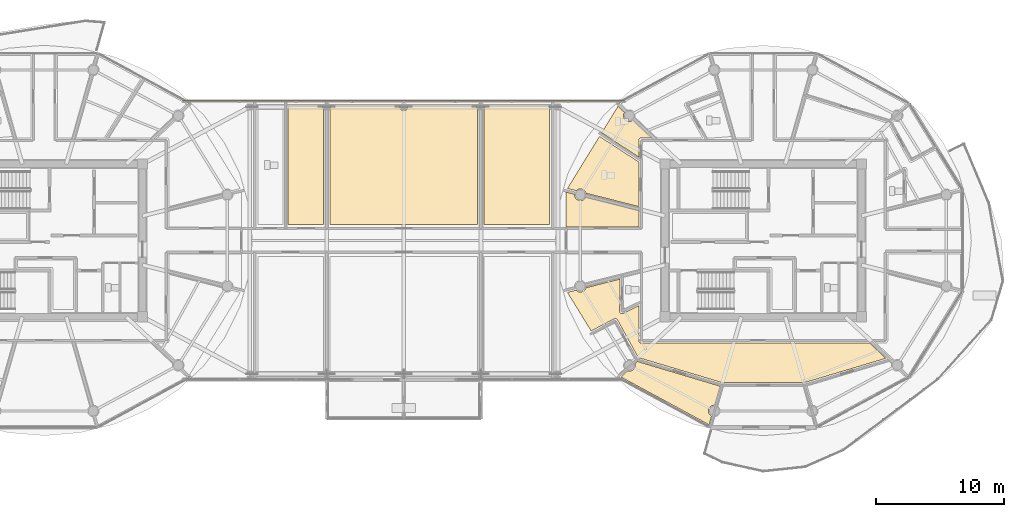
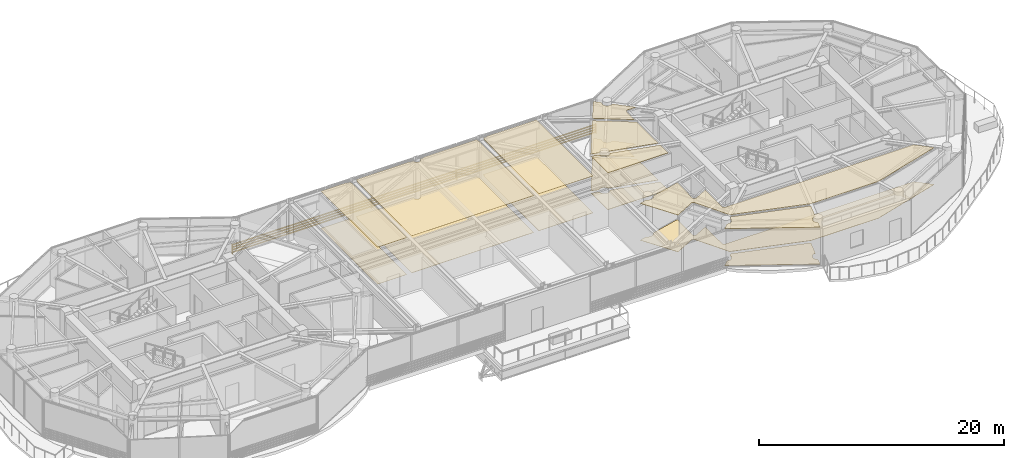
# One storey, part 26 of 31: 16 coverings, 3 shading devices.
"""IFC4 building model written with IfcOpenShell, lengths in metres."""

from ifc_helpers import new_model, si_unit, direction, frame, origin, origin_2d, place, context, subcontext, project, spatial, polyline, rectangle, outline, extrude, source, transform, mapped, material, layer, layer_set, type_object, type_shapes, element, save


model = new_model("IFC4")

# Units and contexts
model_context = context("Model", 3, precision=1e-05, world=origin(), true_north=direction((0.0, 1.0)))
body_context = subcontext(model_context, "Body", "Model", "MODEL_VIEW")
ifc_project = project(units=[si_unit("LENGTHUNIT", "METRE"), si_unit("AREAUNIT", "SQUARE_METRE"), si_unit("VOLUMEUNIT", "CUBIC_METRE"), si_unit("PLANEANGLEUNIT", "RADIAN"), si_unit("MASSUNIT", "GRAM", prefix="KILO")], contexts=[model_context])

# Site, building, storey
site_placement = place(None, origin())
site = spatial("IfcSite", under=ifc_project, at=site_placement, CompositionType="ELEMENT")
building_placement = place(site_placement, origin())
building = spatial("IfcBuilding", under=site, at=building_placement, Name="Norrkilde Senior Care Towers", CompositionType="ELEMENT")
storey_placement = place(building_placement, frame((0.0, 0.0, 199.800048828125)))
storey = spatial("IfcBuildingStorey", under=building, at=storey_placement, Name="L62", CompositionType="ELEMENT", Elevation=199.800048828125)

# Coverings
ifc_material_1 = material(Name="Nordic Ash Timber", Category="wood")
ifc_layer_1 = layer(ifc_material_1, 0.044921875)
ifc_layer_set_1 = layer_set([ifc_layer_1], Name="Nordic Ash Timber")
covering_type_1 = type_object("IfcCoveringType", Name="Acoustic Ash Timber Slatted Ceiling 45", PredefinedType="CEILING", material=ifc_layer_set_1)
covering_1_placement = place(storey_placement, frame((0.0, 0.0, 3.6650390625)))
element("IfcCovering", 1, at=covering_1_placement, inside=storey, type_object=covering_type_1, Name="L62 Suspended Ceiling 0396", PredefinedType="CEILING", context=body_context, shape_type="SweptSolid", body=[
    extrude(outline(polyline([(18.300048828125, 1.0400390625), (12.62646484375, 1.0400390625), (12.62646484375, 3.76708984375), (13.302490234375, 3.59619140625), (13.297607421875, 3.558837890625), (13.31298828125, 3.44091796875), (13.358642578125, 3.331298828125), (13.430908203125, 3.237060546875), (13.525146484375, 3.164794921875), (13.634765625, 3.119384765625), (13.752685546875, 3.103759765625), (13.870361328125, 3.119384765625), (13.97998046875, 3.164794921875), (14.07421875, 3.237060546875), (14.146728515625, 3.331298828125), (14.165771484375, 3.377685546875), (18.300048828125, 2.331298828125), (18.300048828125, 1.0400390625)])), origin(), (0.0, 0.0, 1.0), 0.044921875),
])
covering_2_placement = place(storey_placement, frame((0.0, 0.0, 3.6650390625)))
element("IfcCovering", 2, at=covering_2_placement, inside=storey, type_object=covering_type_1, Name="L62 Suspended Ceiling 0408", PredefinedType="CEILING", context=body_context, shape_type="SweptSolid", body=[
    extrude(outline(polyline([(16.817626953125, -5.54150390625), (16.819580078125, -5.552978515625), (16.8212890625, -5.5595703125), (16.824462890625, -5.57080078125), (16.82666015625, -5.577392578125), (16.8310546875, -5.588134765625), (16.833740234375, -5.594482421875), (16.839111328125, -5.604736328125), (16.842529296875, -5.610595703125), (16.848876953125, -5.62060546875), (16.85302734375, -5.6259765625), (16.860107421875, -5.63525390625), (16.86474609375, -5.640380859375), (16.872802734375, -5.648681640625), (16.877685546875, -5.653564453125), (16.88671875, -5.6611328125), (16.89208984375, -5.665283203125), (16.901611328125, -5.671875), (16.907470703125, -5.675537109375), (16.917724609375, -5.68115234375), (16.923828125, -5.684326171875), (16.9345703125, -5.68896484375), (16.94091796875, -5.69140625), (16.951904296875, -5.695068359375), (16.95849609375, -5.69677734375), (16.969970703125, -5.69921875), (16.976806640625, -5.700439453125), (16.98828125, -5.701904296875), (16.9951171875, -5.702392578125), (17.0068359375, -5.70263671875), (17.013671875, -5.702392578125), (17.025390625, -5.70166015625), (17.031982421875, -5.70068359375), (17.043701171875, -5.69873046875), (17.05029296875, -5.697265625), (17.0615234375, -5.694091796875), (17.068115234375, -5.69189453125), (17.078857421875, -5.687744140625), (17.085205078125, -5.68505859375), (17.090576171875, -5.6826171875), (18.300048828125, -5.076171875), (18.300048828125, -7.800048828125), (18.300048828125, -7.805908203125), (18.300537109375, -7.813720703125), (18.3017578125, -7.825439453125), (18.302734375, -7.833251953125), (18.30517578125, -7.8447265625), (18.30712890625, -7.852294921875), (18.310546875, -7.86376953125), (18.31298828125, -7.87109375), (18.317626953125, -7.8818359375), (18.321044921875, -7.888916015625), (18.326416015625, -7.8994140625), (18.33056640625, -7.90625), (18.337158203125, -7.916015625), (18.341796875, -7.92236328125), (18.34912109375, -7.931396484375), (18.3544921875, -7.937255859375), (18.36279296875, -7.945556640625), (18.36865234375, -7.95068359375), (18.377685546875, -7.958251953125), (18.384033203125, -7.962890625), (18.393798828125, -7.969482421875), (18.400634765625, -7.973388671875), (18.410888671875, -7.97900390625), (18.41796875, -7.982421875), (18.428955078125, -7.98681640625), (18.436279296875, -7.989501953125), (18.447509765625, -7.992919921875), (18.455322265625, -7.994873046875), (18.466796875, -7.9970703125), (18.474609375, -7.998291015625), (18.486328125, -7.99951171875), (18.494140625, -7.999755859375), (18.5, -8.0), (36.294677734375, -8.0), (37.5439453125, -9.179931640625), (31.18408203125, -11.0791015625), (24.81591796875, -11.0791015625), (18.265380859375, -9.122802734375), (16.640869140625, -6.182861328125), (16.637939453125, -6.177978515625), (16.63427734375, -6.172119140625), (16.627685546875, -6.16259765625), (16.623779296875, -6.1572265625), (16.6162109375, -6.1484375), (16.611572265625, -6.143310546875), (16.603271484375, -6.13525390625), (16.598388671875, -6.130615234375), (16.58935546875, -6.12353515625), (16.583740234375, -6.119384765625), (16.573974609375, -6.113037109375), (16.568115234375, -6.109619140625), (16.557861328125, -6.104248046875), (16.5517578125, -6.101318359375), (16.541015625, -6.096923828125), (16.53466796875, -6.0947265625), (16.523681640625, -6.09130859375), (16.51708984375, -6.089599609375), (16.505615234375, -6.08740234375), (16.4990234375, -6.08642578125), (16.4873046875, -6.08544921875), (16.48046875, -6.0849609375), (16.468994140625, -6.0849609375), (16.462158203125, -6.085205078125), (16.45068359375, -6.08642578125), (16.44384765625, -6.08740234375), (16.4326171875, -6.089599609375), (16.426025390625, -6.09130859375), (16.414794921875, -6.094482421875), (16.408447265625, -6.0966796875), (16.397705078125, -6.10107421875), (16.3916015625, -6.10400390625), (16.386474609375, -6.1064453125), (14.59033203125, -7.0478515625), (12.74267578125, -4.04736328125), (13.426025390625, -3.874267578125), (13.430908203125, -3.880615234375), (13.525146484375, -3.952880859375), (13.634765625, -3.998291015625), (13.752685546875, -4.013671875), (13.870361328125, -3.998291015625), (13.97998046875, -3.952880859375), (14.07421875, -3.880615234375), (14.146728515625, -3.786376953125), (14.190185546875, -3.680908203125), (16.84521484375, -3.0087890625), (16.8154296875, -5.510498046875), (16.8154296875, -5.516357421875), (16.815673828125, -5.523193359375), (16.816650390625, -5.53466796875), (16.817626953125, -5.54150390625)])), origin(), (0.0, 0.0, 1.0), 0.044921875),
])
covering_3_placement = place(storey_placement, frame((0.0, 0.0, 3.6650390625)))
element("IfcCovering", 3, at=covering_3_placement, inside=storey, type_object=covering_type_1, Name="L62 Suspended Ceiling 0410", PredefinedType="CEILING", context=body_context, shape_type="SweptSolid", body=[
    extrude(outline(polyline([(17.452392578125, -10.162109375), (17.570068359375, -10.177734375), (17.68798828125, -10.162109375), (17.797607421875, -10.11669921875), (17.891845703125, -10.04443359375), (17.964111328125, -9.9501953125), (18.009765625, -9.840576171875), (18.025146484375, -9.72265625), (18.009765625, -9.60498046875), (18.0087890625, -9.6025390625), (18.196044921875, -9.42578125), (24.648681640625, -11.3525390625), (24.218505859375, -12.831298828125), (24.182373046875, -12.826416015625), (24.064697265625, -12.842041015625), (23.954833984375, -12.887451171875), (23.860595703125, -12.959716796875), (23.788330078125, -13.053955078125), (23.742919921875, -13.163818359375), (23.7275390625, -13.281494140625), (23.742919921875, -13.399169921875), (23.788330078125, -13.509033203125), (23.860595703125, -13.603271484375), (23.954833984375, -13.675537109375), (23.970947265625, -13.68212890625), (23.776123046875, -14.351806640625), (16.91357421875, -10.636962890625), (17.42724609375, -10.15185546875), (17.452392578125, -10.162109375)])), origin(), (0.0, 0.0, 1.0), 0.044921875),
])
ifc_material_2 = material(Name="Gypsum Acoustic Board")
ifc_layer_2 = layer(ifc_material_2, 0.030029296875)
ifc_layer_set_2 = layer_set([ifc_layer_2], Name="Gypsum Acoustic Board")
covering_type_2 = type_object("IfcCoveringType", Name="Medical Cleanable Gypsum Ceiling 30", PredefinedType="CEILING", material=ifc_layer_set_2)
covering_4_placement = place(storey_placement, frame((0.0, 0.0, 3.679931640625)))
element("IfcCovering", 4, at=covering_4_placement, inside=storey, type_object=covering_type_2, Name="L62 Suspended Ceiling 0406", PredefinedType="CEILING", context=body_context, shape_type="SweptSolid", body=[
    extrude(outline(polyline([(18.474609375, 7.998291015625), (18.466796875, 7.9970703125), (18.455322265625, 7.994873046875), (18.447509765625, 7.992919921875), (18.436279296875, 7.989501953125), (18.428955078125, 7.98681640625), (18.41796875, 7.982421875), (18.410888671875, 7.97900390625), (18.400634765625, 7.973388671875), (18.393798828125, 7.969482421875), (18.384033203125, 7.962890625), (18.377685546875, 7.958251953125), (18.36865234375, 7.95068359375), (18.36279296875, 7.945556640625), (18.3544921875, 7.937255859375), (18.34912109375, 7.931396484375), (18.341796875, 7.92236328125), (18.337158203125, 7.916015625), (18.33056640625, 7.90625), (18.326416015625, 7.8994140625), (18.321044921875, 7.888916015625), (18.317626953125, 7.8818359375), (18.31298828125, 7.87109375), (18.310546875, 7.86376953125), (18.30712890625, 7.852294921875), (18.30517578125, 7.8447265625), (18.302734375, 7.833251953125), (18.3017578125, 7.825439453125), (18.300537109375, 7.813720703125), (18.300048828125, 7.805908203125), (18.300048828125, 7.800048828125), (18.300048828125, 6.499755859375), (15.4111328125, 8.380859375), (16.68408203125, 10.448486328125), (17.192626953125, 9.9716796875), (17.176025390625, 9.9501953125), (17.130615234375, 9.840576171875), (17.115234375, 9.72265625), (17.130615234375, 9.60498046875), (17.176025390625, 9.4951171875), (17.24853515625, 9.40087890625), (17.3427734375, 9.32861328125), (17.452392578125, 9.283203125), (17.570068359375, 9.267822265625), (17.68798828125, 9.283203125), (17.797607421875, 9.32861328125), (17.841796875, 9.362548828125), (19.294677734375, 8.0), (18.5, 8.0), (18.494140625, 7.999755859375), (18.486328125, 7.99951171875), (18.474609375, 7.998291015625)])), origin(), (0.0, 0.0, 1.0), 0.030029296875),
])
covering_5_placement = place(storey_placement, frame((0.0, 0.0, 3.679931640625)))
element("IfcCovering", 5, at=covering_5_placement, inside=storey, type_object=covering_type_2, Name="L62 Suspended Ceiling 0407", PredefinedType="CEILING", context=body_context, shape_type="SweptSolid", body=[
    extrude(outline(polyline([(15.2431640625, 8.108154296875), (18.300048828125, 6.117919921875), (18.300048828125, 2.640625), (14.190185546875, 3.680908203125), (14.146728515625, 3.786376953125), (14.07421875, 3.880615234375), (13.97998046875, 3.952880859375), (13.870361328125, 3.998291015625), (13.752685546875, 4.013671875), (13.634765625, 3.998291015625), (13.525146484375, 3.952880859375), (13.430908203125, 3.880615234375), (13.426025390625, 3.874267578125), (12.74267578125, 4.04736328125), (15.2431640625, 8.108154296875)])), origin(), (0.0, 0.0, 1.0), 0.030029296875),
])
covering_6_placement = place(storey_placement, frame((0.0, 0.0, 3.679931640625)))
element("IfcCovering", 6, at=covering_6_placement, inside=storey, type_object=covering_type_2, Name="L62 Suspended Ceiling 0416", PredefinedType="CEILING", context=body_context, shape_type="SweptSolid", body=[
    extrude(outline(polyline([(-9.0, 10.47998046875), (-6.2861328125, 10.47998046875), (-6.287353515625, 10.47705078125), (-6.297607421875, 10.39990234375), (-6.287353515625, 10.322998046875), (-6.257568359375, 10.251220703125), (-6.239990234375, 10.228271484375), (-6.239990234375, 1.260009765625), (-9.0, 1.260009765625), (-9.0, 10.47998046875)])), origin(), (0.0, 0.0, 1.0), 0.030029296875),
])
covering_7_placement = place(storey_placement, frame((0.0, 0.0, 3.679931640625)))
element("IfcCovering", 7, at=covering_7_placement, inside=storey, type_object=covering_type_2, Name="L62 Suspended Ceiling 0418", PredefinedType="CEILING", context=body_context, shape_type="SweptSolid", body=[
    extrude(outline(polyline([(-5.712646484375, 10.322998046875), (-5.702392578125, 10.39990234375), (-5.712646484375, 10.47705078125), (-5.7138671875, 10.47998046875), (-0.2861328125, 10.47998046875), (-0.287353515625, 10.47705078125), (-0.297607421875, 10.39990234375), (-0.287353515625, 10.322998046875), (-0.257568359375, 10.251220703125), (-0.21044921875, 10.189697265625), (-0.148681640625, 10.142333984375), (-0.076904296875, 10.112548828125), (0.0, 10.1025390625), (0.076904296875, 10.112548828125), (0.148681640625, 10.142333984375), (0.21044921875, 10.189697265625), (0.257568359375, 10.251220703125), (0.287353515625, 10.322998046875), (0.297607421875, 10.39990234375), (0.287353515625, 10.47705078125), (0.2861328125, 10.47998046875), (5.7138671875, 10.47998046875), (5.712646484375, 10.47705078125), (5.702392578125, 10.39990234375), (5.712646484375, 10.322998046875), (5.742431640625, 10.251220703125), (5.760009765625, 10.228271484375), (5.760009765625, 1.260009765625), (-5.760009765625, 1.260009765625), (-5.760009765625, 10.228271484375), (-5.742431640625, 10.251220703125), (-5.712646484375, 10.322998046875)])), origin(), (0.0, 0.0, 1.0), 0.030029296875),
])
covering_8_placement = place(storey_placement, frame((0.0, 0.0, 3.679931640625)))
element("IfcCovering", 8, at=covering_8_placement, inside=storey, type_object=covering_type_2, Name="L62 Suspended Ceiling 0420", PredefinedType="CEILING", context=body_context, shape_type="SweptSolid", body=[
    extrude(outline(polyline([(6.239990234375, 10.228271484375), (6.257568359375, 10.251220703125), (6.287353515625, 10.322998046875), (6.297607421875, 10.39990234375), (6.287353515625, 10.47705078125), (6.2861328125, 10.47998046875), (11.360107421875, 10.47998046875), (11.360107421875, 1.260009765625), (6.239990234375, 1.260009765625), (6.239990234375, 10.228271484375)])), origin(), (0.0, 0.0, 1.0), 0.030029296875),
])
ifc_material_3 = material(Name="Slip-Resistant Porcelain Stone", Category="masonry")
ifc_layer_3 = layer(ifc_material_3, 0.02490234375)
ifc_layer_set_3 = layer_set([ifc_layer_3], Name="Slip-Resistant Porcelain Stone")
covering_type_3 = type_object("IfcCoveringType", Name="Slip-Resistant Porcelain Flooring 25", PredefinedType="FLOORING", material=ifc_layer_set_3)
covering_9_placement = place(storey_placement, origin())
element("IfcCovering", 9, at=covering_9_placement, inside=storey, type_object=covering_type_3, Name="L62 Floor Finish 0396", PredefinedType="FLOORING", context=body_context, shape_type="SweptSolid", body=[
    extrude(outline(polyline([(18.300048828125, 1.0400390625), (12.62646484375, 1.0400390625), (12.62646484375, 3.76708984375), (13.302490234375, 3.59619140625), (13.297607421875, 3.558837890625), (13.31298828125, 3.44091796875), (13.358642578125, 3.331298828125), (13.430908203125, 3.237060546875), (13.525146484375, 3.164794921875), (13.634765625, 3.119384765625), (13.752685546875, 3.103759765625), (13.870361328125, 3.119384765625), (13.97998046875, 3.164794921875), (14.07421875, 3.237060546875), (14.146728515625, 3.331298828125), (14.165771484375, 3.377685546875), (18.300048828125, 2.331298828125), (18.300048828125, 1.0400390625)])), origin(), (0.0, 0.0, 1.0), 0.02490234375),
])
covering_10_placement = place(storey_placement, origin())
element("IfcCovering", 10, at=covering_10_placement, inside=storey, type_object=covering_type_3, Name="L62 Floor Finish 0406", PredefinedType="FLOORING", context=body_context, shape_type="SweptSolid", body=[
    extrude(outline(polyline([(18.474609375, 7.998291015625), (18.466796875, 7.9970703125), (18.455322265625, 7.994873046875), (18.447509765625, 7.992919921875), (18.436279296875, 7.989501953125), (18.428955078125, 7.98681640625), (18.41796875, 7.982421875), (18.410888671875, 7.97900390625), (18.400634765625, 7.973388671875), (18.393798828125, 7.969482421875), (18.384033203125, 7.962890625), (18.377685546875, 7.958251953125), (18.36865234375, 7.95068359375), (18.36279296875, 7.945556640625), (18.3544921875, 7.937255859375), (18.34912109375, 7.931396484375), (18.341796875, 7.92236328125), (18.337158203125, 7.916015625), (18.33056640625, 7.90625), (18.326416015625, 7.8994140625), (18.321044921875, 7.888916015625), (18.317626953125, 7.8818359375), (18.31298828125, 7.87109375), (18.310546875, 7.86376953125), (18.30712890625, 7.852294921875), (18.30517578125, 7.8447265625), (18.302734375, 7.833251953125), (18.3017578125, 7.825439453125), (18.300537109375, 7.813720703125), (18.300048828125, 7.805908203125), (18.300048828125, 7.800048828125), (18.300048828125, 6.499755859375), (15.4111328125, 8.380859375), (16.68408203125, 10.448486328125), (17.192626953125, 9.9716796875), (17.176025390625, 9.9501953125), (17.130615234375, 9.840576171875), (17.115234375, 9.72265625), (17.130615234375, 9.60498046875), (17.176025390625, 9.4951171875), (17.24853515625, 9.40087890625), (17.3427734375, 9.32861328125), (17.452392578125, 9.283203125), (17.570068359375, 9.267822265625), (17.68798828125, 9.283203125), (17.797607421875, 9.32861328125), (17.841796875, 9.362548828125), (19.294677734375, 8.0), (18.5, 8.0), (18.494140625, 7.999755859375), (18.486328125, 7.99951171875), (18.474609375, 7.998291015625)])), origin(), (0.0, 0.0, 1.0), 0.02490234375),
])
covering_11_placement = place(storey_placement, origin())
element("IfcCovering", 11, at=covering_11_placement, inside=storey, type_object=covering_type_3, Name="L62 Floor Finish 0407", PredefinedType="FLOORING", context=body_context, shape_type="SweptSolid", body=[
    extrude(outline(polyline([(15.2431640625, 8.108154296875), (18.300048828125, 6.117919921875), (18.300048828125, 2.640625), (14.190185546875, 3.680908203125), (14.146728515625, 3.786376953125), (14.07421875, 3.880615234375), (13.97998046875, 3.952880859375), (13.870361328125, 3.998291015625), (13.752685546875, 4.013671875), (13.634765625, 3.998291015625), (13.525146484375, 3.952880859375), (13.430908203125, 3.880615234375), (13.426025390625, 3.874267578125), (12.74267578125, 4.04736328125), (15.2431640625, 8.108154296875)])), origin(), (0.0, 0.0, 1.0), 0.02490234375),
])
covering_12_placement = place(storey_placement, origin())
element("IfcCovering", 12, at=covering_12_placement, inside=storey, type_object=covering_type_3, Name="L62 Floor Finish 0408", PredefinedType="FLOORING", context=body_context, shape_type="SweptSolid", body=[
    extrude(outline(polyline([(16.817626953125, -5.54150390625), (16.819580078125, -5.552978515625), (16.8212890625, -5.5595703125), (16.824462890625, -5.57080078125), (16.82666015625, -5.577392578125), (16.8310546875, -5.588134765625), (16.833740234375, -5.594482421875), (16.839111328125, -5.604736328125), (16.842529296875, -5.610595703125), (16.848876953125, -5.62060546875), (16.85302734375, -5.6259765625), (16.860107421875, -5.63525390625), (16.86474609375, -5.640380859375), (16.872802734375, -5.648681640625), (16.877685546875, -5.653564453125), (16.88671875, -5.6611328125), (16.89208984375, -5.665283203125), (16.901611328125, -5.671875), (16.907470703125, -5.675537109375), (16.917724609375, -5.68115234375), (16.923828125, -5.684326171875), (16.9345703125, -5.68896484375), (16.94091796875, -5.69140625), (16.951904296875, -5.695068359375), (16.95849609375, -5.69677734375), (16.969970703125, -5.69921875), (16.976806640625, -5.700439453125), (16.98828125, -5.701904296875), (16.9951171875, -5.702392578125), (17.0068359375, -5.70263671875), (17.013671875, -5.702392578125), (17.025390625, -5.70166015625), (17.031982421875, -5.70068359375), (17.043701171875, -5.69873046875), (17.05029296875, -5.697265625), (17.0615234375, -5.694091796875), (17.068115234375, -5.69189453125), (17.078857421875, -5.687744140625), (17.085205078125, -5.68505859375), (17.090576171875, -5.6826171875), (18.300048828125, -5.076171875), (18.300048828125, -7.800048828125), (18.300048828125, -7.805908203125), (18.300537109375, -7.813720703125), (18.3017578125, -7.825439453125), (18.302734375, -7.833251953125), (18.30517578125, -7.8447265625), (18.30712890625, -7.852294921875), (18.310546875, -7.86376953125), (18.31298828125, -7.87109375), (18.317626953125, -7.8818359375), (18.321044921875, -7.888916015625), (18.326416015625, -7.8994140625), (18.33056640625, -7.90625), (18.337158203125, -7.916015625), (18.341796875, -7.92236328125), (18.34912109375, -7.931396484375), (18.3544921875, -7.937255859375), (18.36279296875, -7.945556640625), (18.36865234375, -7.95068359375), (18.377685546875, -7.958251953125), (18.384033203125, -7.962890625), (18.393798828125, -7.969482421875), (18.400634765625, -7.973388671875), (18.410888671875, -7.97900390625), (18.41796875, -7.982421875), (18.428955078125, -7.98681640625), (18.436279296875, -7.989501953125), (18.447509765625, -7.992919921875), (18.455322265625, -7.994873046875), (18.466796875, -7.9970703125), (18.474609375, -7.998291015625), (18.486328125, -7.99951171875), (18.494140625, -7.999755859375), (18.5, -8.0), (36.294677734375, -8.0), (37.5439453125, -9.179931640625), (31.18408203125, -11.0791015625), (24.81591796875, -11.0791015625), (18.265380859375, -9.122802734375), (16.640869140625, -6.182861328125), (16.637939453125, -6.177978515625), (16.63427734375, -6.172119140625), (16.627685546875, -6.16259765625), (16.623779296875, -6.1572265625), (16.6162109375, -6.1484375), (16.611572265625, -6.143310546875), (16.603271484375, -6.13525390625), (16.598388671875, -6.130615234375), (16.58935546875, -6.12353515625), (16.583740234375, -6.119384765625), (16.573974609375, -6.113037109375), (16.568115234375, -6.109619140625), (16.557861328125, -6.104248046875), (16.5517578125, -6.101318359375), (16.541015625, -6.096923828125), (16.53466796875, -6.0947265625), (16.523681640625, -6.09130859375), (16.51708984375, -6.089599609375), (16.505615234375, -6.08740234375), (16.4990234375, -6.08642578125), (16.4873046875, -6.08544921875), (16.48046875, -6.0849609375), (16.468994140625, -6.0849609375), (16.462158203125, -6.085205078125), (16.45068359375, -6.08642578125), (16.44384765625, -6.08740234375), (16.4326171875, -6.089599609375), (16.426025390625, -6.09130859375), (16.414794921875, -6.094482421875), (16.408447265625, -6.0966796875), (16.397705078125, -6.10107421875), (16.3916015625, -6.10400390625), (16.386474609375, -6.1064453125), (14.59033203125, -7.0478515625), (12.74267578125, -4.04736328125), (13.426025390625, -3.874267578125), (13.430908203125, -3.880615234375), (13.525146484375, -3.952880859375), (13.634765625, -3.998291015625), (13.752685546875, -4.013671875), (13.870361328125, -3.998291015625), (13.97998046875, -3.952880859375), (14.07421875, -3.880615234375), (14.146728515625, -3.786376953125), (14.190185546875, -3.680908203125), (16.84521484375, -3.0087890625), (16.8154296875, -5.510498046875), (16.8154296875, -5.516357421875), (16.815673828125, -5.523193359375), (16.816650390625, -5.53466796875), (16.817626953125, -5.54150390625)])), origin(), (0.0, 0.0, 1.0), 0.02490234375),
])
covering_13_placement = place(storey_placement, origin())
element("IfcCovering", 13, at=covering_13_placement, inside=storey, type_object=covering_type_3, Name="L62 Floor Finish 0410", PredefinedType="FLOORING", context=body_context, shape_type="SweptSolid", body=[
    extrude(outline(polyline([(17.452392578125, -10.162109375), (17.570068359375, -10.177734375), (17.68798828125, -10.162109375), (17.797607421875, -10.11669921875), (17.891845703125, -10.04443359375), (17.964111328125, -9.9501953125), (18.009765625, -9.840576171875), (18.025146484375, -9.72265625), (18.009765625, -9.60498046875), (18.0087890625, -9.6025390625), (18.196044921875, -9.42578125), (24.648681640625, -11.3525390625), (24.218505859375, -12.831298828125), (24.182373046875, -12.826416015625), (24.064697265625, -12.842041015625), (23.954833984375, -12.887451171875), (23.860595703125, -12.959716796875), (23.788330078125, -13.053955078125), (23.742919921875, -13.163818359375), (23.7275390625, -13.281494140625), (23.742919921875, -13.399169921875), (23.788330078125, -13.509033203125), (23.860595703125, -13.603271484375), (23.954833984375, -13.675537109375), (23.970947265625, -13.68212890625), (23.776123046875, -14.351806640625), (16.91357421875, -10.636962890625), (17.42724609375, -10.15185546875), (17.452392578125, -10.162109375)])), origin(), (0.0, 0.0, 1.0), 0.02490234375),
])
covering_14_placement = place(storey_placement, origin())
element("IfcCovering", 14, at=covering_14_placement, inside=storey, type_object=covering_type_3, Name="L62 Floor Finish 0416", PredefinedType="FLOORING", context=body_context, shape_type="SweptSolid", body=[
    extrude(outline(polyline([(-9.0, 10.47998046875), (-6.2861328125, 10.47998046875), (-6.287353515625, 10.47705078125), (-6.297607421875, 10.39990234375), (-6.287353515625, 10.322998046875), (-6.257568359375, 10.251220703125), (-6.239990234375, 10.228271484375), (-6.239990234375, 1.260009765625), (-9.0, 1.260009765625), (-9.0, 10.47998046875)])), origin(), (0.0, 0.0, 1.0), 0.02490234375),
])
covering_15_placement = place(storey_placement, origin())
element("IfcCovering", 15, at=covering_15_placement, inside=storey, type_object=covering_type_3, Name="L62 Floor Finish 0418", PredefinedType="FLOORING", context=body_context, shape_type="SweptSolid", body=[
    extrude(outline(polyline([(-5.712646484375, 10.322998046875), (-5.702392578125, 10.39990234375), (-5.712646484375, 10.47705078125), (-5.7138671875, 10.47998046875), (-0.2861328125, 10.47998046875), (-0.287353515625, 10.47705078125), (-0.297607421875, 10.39990234375), (-0.287353515625, 10.322998046875), (-0.257568359375, 10.251220703125), (-0.21044921875, 10.189697265625), (-0.148681640625, 10.142333984375), (-0.076904296875, 10.112548828125), (0.0, 10.1025390625), (0.076904296875, 10.112548828125), (0.148681640625, 10.142333984375), (0.21044921875, 10.189697265625), (0.257568359375, 10.251220703125), (0.287353515625, 10.322998046875), (0.297607421875, 10.39990234375), (0.287353515625, 10.47705078125), (0.2861328125, 10.47998046875), (5.7138671875, 10.47998046875), (5.712646484375, 10.47705078125), (5.702392578125, 10.39990234375), (5.712646484375, 10.322998046875), (5.742431640625, 10.251220703125), (5.760009765625, 10.228271484375), (5.760009765625, 1.260009765625), (-5.760009765625, 1.260009765625), (-5.760009765625, 10.228271484375), (-5.742431640625, 10.251220703125), (-5.712646484375, 10.322998046875)])), origin(), (0.0, 0.0, 1.0), 0.02490234375),
])
covering_16_placement = place(storey_placement, origin())
element("IfcCovering", 16, at=covering_16_placement, inside=storey, type_object=covering_type_3, Name="L62 Floor Finish 0420", PredefinedType="FLOORING", context=body_context, shape_type="SweptSolid", body=[
    extrude(outline(polyline([(6.239990234375, 10.228271484375), (6.257568359375, 10.251220703125), (6.287353515625, 10.322998046875), (6.297607421875, 10.39990234375), (6.287353515625, 10.47705078125), (6.2861328125, 10.47998046875), (11.360107421875, 10.47998046875), (11.360107421875, 1.260009765625), (6.239990234375, 1.260009765625), (6.239990234375, 10.228271484375)])), origin(), (0.0, 0.0, 1.0), 0.02490234375),
])

# Shading devices
ifc_material_4 = material(Name="Architectural Terracotta", Category="masonry")
shading_device_type = type_object("IfcShadingDeviceType", Name="Horizontal Terracotta Baguette Rack", PredefinedType="USERDEFINED", material=ifc_material_4)
shared_shape_1 = source(origin(), body_context, "Body", "SweptSolid", [
    extrude(rectangle(XDim=0.070068359375, YDim=0.110107421875, at=origin_2d()), frame((0.0, 0.090087890625, 0.125), z_axis=(1.0, 0.0, 0.0), x_axis=(0.0, 1.0, 0.0)), (0.0, 0.0, 1.0), 13.199951171875),
    extrude(rectangle(XDim=0.070068359375, YDim=0.110107421875, at=origin_2d()), frame((0.0, 0.090087890625, 0.375), z_axis=(1.0, 0.0, 0.0), x_axis=(0.0, 1.0, 0.0)), (0.0, 0.0, 1.0), 13.199951171875),
    extrude(rectangle(XDim=0.070068359375, YDim=0.110107421875, at=origin_2d()), frame((0.0, 0.090087890625, 0.625), z_axis=(1.0, 0.0, 0.0), x_axis=(0.0, 1.0, 0.0)), (0.0, 0.0, 1.0), 13.199951171875),
    extrude(rectangle(XDim=0.070068359375, YDim=0.110107421875, at=origin_2d()), frame((0.0, 0.090087890625, 0.875), z_axis=(1.0, 0.0, 0.0), x_axis=(0.0, 1.0, 0.0)), (0.0, 0.0, 1.0), 13.199951171875),
    extrude(rectangle(XDim=0.050048828125, YDim=0.1552734375, at=origin_2d()), frame((0.02490234375, 0.047607421875, 0.0)), (0.0, 0.0, 1.0), 1.0),
    extrude(rectangle(XDim=0.050048828125, YDim=0.1552734375, at=origin_2d()), frame((13.1748046875, 0.047607421875, 0.0)), (0.0, 0.0, 1.0), 1.0),
])
for number, where, z_axis, x_axis, name in (
    (17, (-17.199951171875, 10.820068359375, 0.079833984375), (0.0, 0.0, 1.0), (1.0, 0.0, 0.0), "L62 Bridge North Baguette Screen 1"),
    (18, (4.0, 10.820068359375, 0.079833984375), (0.0, 0.0, 1.0), (1.0, 0.0, 0.0), "L62 Bridge North Baguette Screen 3"),
):
    element("IfcShadingDevice", number, at=place(storey_placement, frame(where, z_axis=z_axis, x_axis=x_axis)), inside=storey, type_object=shading_device_type, Name=name, ObjectType="BAGUETTE", PredefinedType="USERDEFINED", context=body_context, shape_type="MappedRepresentation", body=[
        mapped(shared_shape_1, transform((0.0, 0.0, 0.0), x_axis=(1.0, 0.0, 0.0), y_axis=(0.0, 1.0, 0.0), z_axis=(0.0, 0.0, 1.0), scale=1.0)),
    ])
shared_shape_2 = source(origin(), body_context, "Body", "SweptSolid", [
    extrude(rectangle(XDim=0.070068359375, YDim=0.110107421875, at=origin_2d()), frame((0.0, 0.090087890625, 0.125), z_axis=(1.0, 0.0, 0.0), x_axis=(0.0, 1.0, 0.0)), (0.0, 0.0, 1.0), 8.0),
    extrude(rectangle(XDim=0.070068359375, YDim=0.110107421875, at=origin_2d()), frame((0.0, 0.090087890625, 0.375), z_axis=(1.0, 0.0, 0.0), x_axis=(0.0, 1.0, 0.0)), (0.0, 0.0, 1.0), 8.0),
    extrude(rectangle(XDim=0.070068359375, YDim=0.110107421875, at=origin_2d()), frame((0.0, 0.090087890625, 0.625), z_axis=(1.0, 0.0, 0.0), x_axis=(0.0, 1.0, 0.0)), (0.0, 0.0, 1.0), 8.0),
    extrude(rectangle(XDim=0.070068359375, YDim=0.110107421875, at=origin_2d()), frame((0.0, 0.090087890625, 0.875), z_axis=(1.0, 0.0, 0.0), x_axis=(0.0, 1.0, 0.0)), (0.0, 0.0, 1.0), 8.0),
    extrude(rectangle(XDim=0.050048828125, YDim=0.1552734375, at=origin_2d()), frame((0.02490234375, 0.047607421875, 0.0)), (0.0, 0.0, 1.0), 1.0),
    extrude(rectangle(XDim=0.050048828125, YDim=0.1552734375, at=origin_2d()), frame((7.97509765625, 0.047607421875, 0.0)), (0.0, 0.0, 1.0), 1.0),
])
type_shapes(shading_device_type, [shared_shape_1, shared_shape_2])
shading_device_placement = place(storey_placement, frame((-4.0, 10.820068359375, 0.079833984375), z_axis=(0.0, 0.0, 1.0), x_axis=(1.0, 0.0, 0.0)))
element("IfcShadingDevice", 19, at=shading_device_placement, inside=storey, type_object=shading_device_type, Name="L62 Bridge North Baguette Screen 2", ObjectType="BAGUETTE", PredefinedType="USERDEFINED", context=body_context, shape_type="MappedRepresentation", body=[
    mapped(shared_shape_2, transform((0.0, 0.0, 0.0), x_axis=(1.0, 0.0, 0.0), y_axis=(0.0, 1.0, 0.0), z_axis=(0.0, 0.0, 1.0), scale=1.0)),
])

save(model, "model.ifc")
